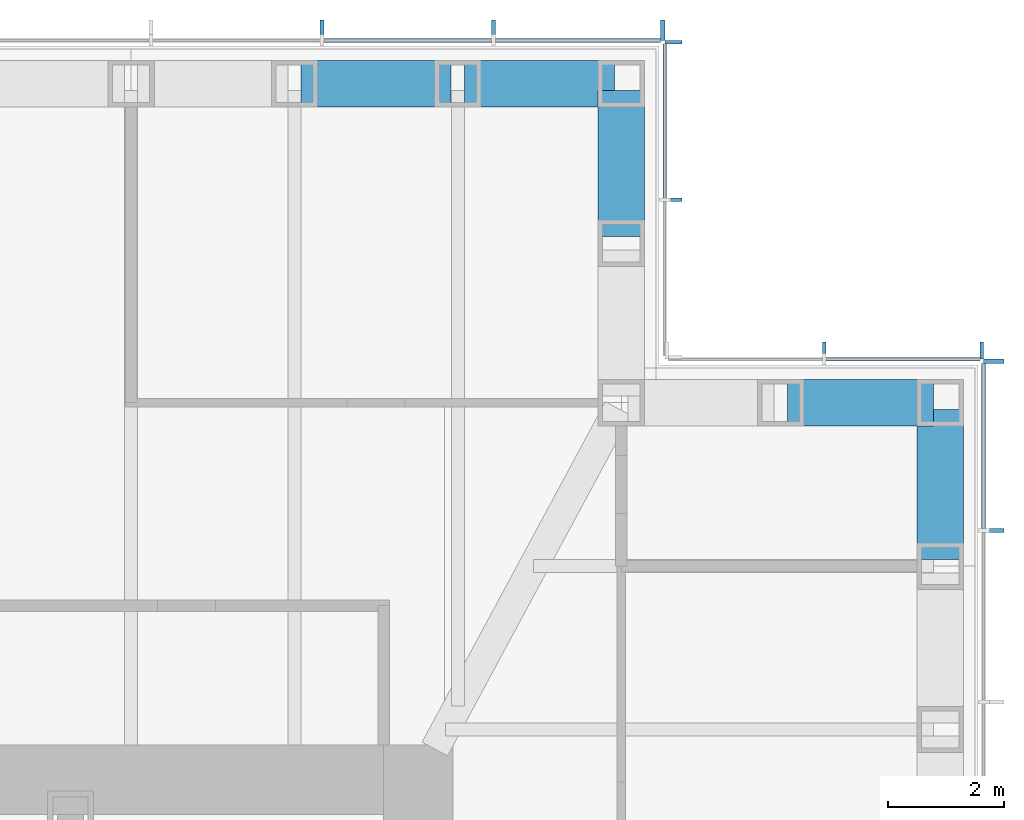
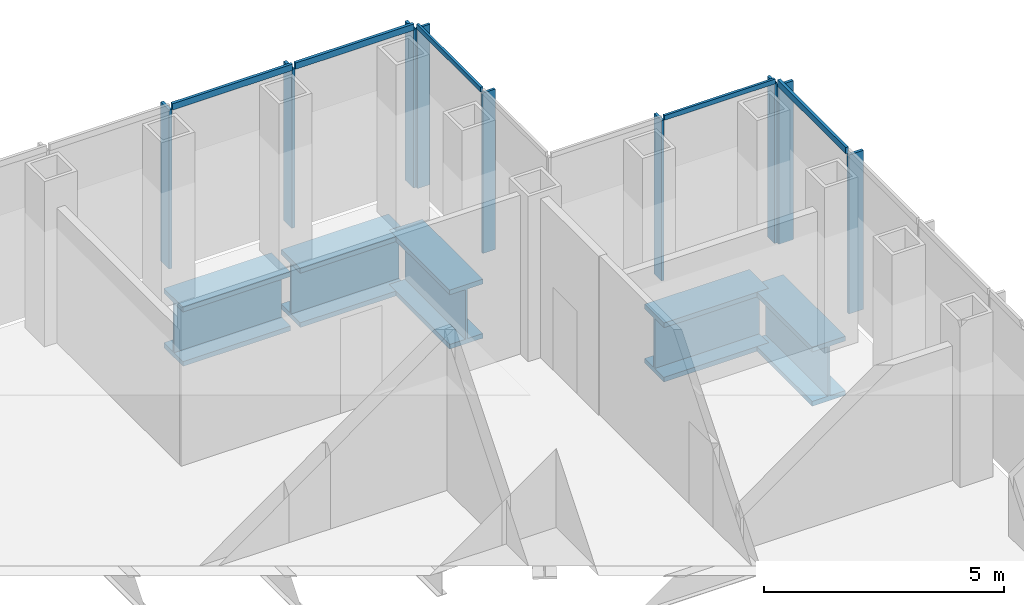
# One storey, part 6 of 16: 14 members, 5 beams, 4 elements without a shape of their own.
"""IFC4 building model written with IfcOpenShell, lengths in metres."""

from ifc_helpers import new_model, si_unit, direction, frame, origin, origin_2d, place, context, subcontext, project, spatial, rectangle, i_section, extrude, material, material_profile, profile_set, type_object, element, aggregate, save


model = new_model("IFC4")

# Units and contexts
model_context = context("Model", 3, precision=1e-05, world=origin(), true_north=direction((0.0, 1.0)))
body_context = subcontext(model_context, "Body", "Model", "MODEL_VIEW")
ifc_project = project(units=[si_unit("LENGTHUNIT", "METRE"), si_unit("AREAUNIT", "SQUARE_METRE"), si_unit("VOLUMEUNIT", "CUBIC_METRE"), si_unit("PLANEANGLEUNIT", "RADIAN"), si_unit("MASSUNIT", "GRAM", prefix="KILO")], contexts=[model_context])

# Site, building, storey
site_placement = place(None, origin())
site = spatial("IfcSite", under=ifc_project, at=site_placement, CompositionType="ELEMENT")
building_placement = place(site_placement, origin())
building = spatial("IfcBuilding", under=site, at=building_placement, Name="Daluyong Arena Tower", CompositionType="ELEMENT")
storey_placement = place(building_placement, frame((0.0, 0.0, 214.89990234375)))
storey = spatial("IfcBuildingStorey", under=building, at=storey_placement, Name="L48", CompositionType="ELEMENT", Elevation=214.89990234375)

# Curtain wall, members
ifc_material_1 = material(Name="Bronze anodised aluminium and glass", Category="aluminium")
curtain_wall_type_1 = type_object("IfcCurtainWallType", Name="Curtain wall CW3", PredefinedType="USERDEFINED", material=ifc_material_1)
curtain_wall_1_placement = place(storey_placement, origin())
curtain_wall_1 = element("IfcCurtainWall", 1, at=curtain_wall_1_placement, inside=storey, type_object=curtain_wall_type_1, Name="curtain wall L48 E", ObjectType="UNITISED CURTAIN WALL", PredefinedType="USERDEFINED")
ifc_material_2 = material(Name="Bronze anodised aluminium fin", Category="aluminium")
ifc_material_profile_1 = material_profile(ifc_material_2, rectangle(XDim=0.35009765625, YDim=0.070068359375, at=origin_2d()))
ifc_profile_set_1 = profile_set([ifc_material_profile_1], Name="Bronze anodised aluminium fin")
member_type_1 = type_object("IfcMemberType", Name="CW3 bronze fin 350x70", PredefinedType="MULLION", material=ifc_profile_set_1)
member_1_placement = place(storey_placement, frame((77.925048828125, 93.29541015625, 0.0), z_axis=(0.0, 0.0, 1.0), x_axis=(-1.0, 0.0, 0.0)))
member_1 = element("IfcMember", 2, at=member_1_placement, type_object=member_type_1, Name="curtain wall L48 E fin 11", PredefinedType="MULLION", context=body_context, shape_type="SweptSolid", body=[
    extrude(rectangle(XDim=0.35009765625, YDim=0.070068359375, at=origin_2d()), origin(), (0.0, 0.0, 1.0), 4.0400390625),
])
member_2_placement = place(storey_placement, frame((77.925048828125, 96.215087890625, 0.0), z_axis=(0.0, 0.0, 1.0), x_axis=(-1.0, 0.0, 0.0)))
member_2 = element("IfcMember", 3, at=member_2_placement, type_object=member_type_1, Name="curtain wall L48 E fin 12", PredefinedType="MULLION", context=body_context, shape_type="SweptSolid", body=[
    extrude(rectangle(XDim=0.35009765625, YDim=0.070068359375, at=origin_2d()), origin(), (0.0, 0.0, 1.0), 4.0400390625),
])

curtain_wall_2_placement = place(storey_placement, origin())
curtain_wall_2 = element("IfcCurtainWall", 4, at=curtain_wall_2_placement, inside=storey, type_object=curtain_wall_type_1, Name="curtain wall L48 N", ObjectType="UNITISED CURTAIN WALL", PredefinedType="USERDEFINED")
member_3_placement = place(storey_placement, frame((72.215087890625, 101.925048828125, 0.0), z_axis=(0.0, 0.0, 1.0), x_axis=(0.0, -1.0, 0.0)))
member_3 = element("IfcMember", 5, at=member_3_placement, type_object=member_type_1, Name="curtain wall L48 N fin 1", PredefinedType="MULLION", context=body_context, shape_type="SweptSolid", body=[
    extrude(rectangle(XDim=0.35009765625, YDim=0.070068359375, at=origin_2d()), origin(), (0.0, 0.0, 1.0), 4.0400390625),
])
member_4_placement = place(storey_placement, frame((69.29541015625, 101.925048828125, 0.0), z_axis=(0.0, 0.0, 1.0), x_axis=(0.0, -1.0, 0.0)))
member_4 = element("IfcMember", 6, at=member_4_placement, type_object=member_type_1, Name="curtain wall L48 N fin 2", PredefinedType="MULLION", context=body_context, shape_type="SweptSolid", body=[
    extrude(rectangle(XDim=0.35009765625, YDim=0.070068359375, at=origin_2d()), origin(), (0.0, 0.0, 1.0), 4.0400390625),
])
member_5_placement = place(storey_placement, frame((66.3408203125, 101.925048828125, 0.0), z_axis=(0.0, 0.0, 1.0), x_axis=(0.0, -1.0, 0.0)))
member_5 = element("IfcMember", 7, at=member_5_placement, type_object=member_type_1, Name="curtain wall L48 N fin 3", PredefinedType="MULLION", context=body_context, shape_type="SweptSolid", body=[
    extrude(rectangle(XDim=0.35009765625, YDim=0.070068359375, at=origin_2d()), origin(), (0.0, 0.0, 1.0), 4.0400390625),
])

# Member
ifc_material_3 = material(Name="Bronze anodised aluminium", Category="aluminium")
ifc_material_profile_2 = material_profile(ifc_material_3, rectangle(XDim=0.070068359375, YDim=0.159912109375, at=origin_2d()))
ifc_profile_set_2 = profile_set([ifc_material_profile_2], Name="Bronze anodised aluminium")
member_type_2 = type_object("IfcMemberType", Name="CW3 stack transom 160x70", PredefinedType="USERDEFINED", material=ifc_profile_set_2)
member_6_placement = place(storey_placement, frame((77.75, 93.33056640625, 4.1201171875), z_axis=(0.0, 1.0, 0.0), x_axis=(-1.0, 0.0, 0.0)))
member_6 = element("IfcMember", 8, at=member_6_placement, type_object=member_type_2, Name="curtain wall L48 E transom 11", ObjectType="TRANSOM", PredefinedType="USERDEFINED", context=body_context, shape_type="SweptSolid", body=[
    extrude(rectangle(XDim=0.070068359375, YDim=0.159912109375, at=origin_2d()), origin(), (0.0, 0.0, 1.0), 2.849365234375),
])

aggregate(curtain_wall_1, [member_1, member_2, member_6])

member_7_placement = place(storey_placement, frame((72.179931640625, 101.75, 4.1201171875), z_axis=(-1.0, 0.0, 0.0), x_axis=(0.0, -1.0, 0.0)))
member_7 = element("IfcMember", 9, at=member_7_placement, type_object=member_type_2, Name="curtain wall L48 N transom 1", ObjectType="TRANSOM", PredefinedType="USERDEFINED", context=body_context, shape_type="SweptSolid", body=[
    extrude(rectangle(XDim=0.070068359375, YDim=0.159912109375, at=origin_2d()), origin(), (0.0, 0.0, 1.0), 2.849365234375),
])

member_8_placement = place(storey_placement, frame((69.260498046875, 101.75, 4.1201171875), z_axis=(-1.0, 0.0, 0.0), x_axis=(0.0, -1.0, 0.0)))
member_8 = element("IfcMember", 10, at=member_8_placement, type_object=member_type_2, Name="curtain wall L48 N transom 2", ObjectType="TRANSOM", PredefinedType="USERDEFINED", context=body_context, shape_type="SweptSolid", body=[
    extrude(rectangle(XDim=0.070068359375, YDim=0.159912109375, at=origin_2d()), origin(), (0.0, 0.0, 1.0), 2.884521484375),
])

aggregate(curtain_wall_2, [member_3, member_4, member_5, member_7, member_8])

# Curtain wall, members
ifc_material_4 = material(Name="Bronze anodised aluminium and glass", Category="aluminium")
curtain_wall_type_2 = type_object("IfcCurtainWallType", Name="Curtain wall CW7", PredefinedType="USERDEFINED", material=ifc_material_4)
curtain_wall_3_placement = place(storey_placement, origin())
curtain_wall_3 = element("IfcCurtainWall", 11, at=curtain_wall_3_placement, inside=storey, type_object=curtain_wall_type_2, Name="curtain wall L48 NE-N", ObjectType="UNITISED CURTAIN WALL", PredefinedType="USERDEFINED")
ifc_material_5 = material(Name="Bronze anodised aluminium fin", Category="aluminium")
ifc_material_profile_3 = material_profile(ifc_material_5, rectangle(XDim=0.300048828125, YDim=0.06005859375, at=origin_2d()))
ifc_profile_set_3 = profile_set([ifc_material_profile_3], Name="Bronze anodised aluminium fin")
member_type_3 = type_object("IfcMemberType", Name="CW7 bronze fin 300x60", PredefinedType="MULLION", material=ifc_profile_set_3)
member_9_placement = place(storey_placement, frame((77.719970703125, 96.39990234375, 0.0), z_axis=(0.0, 0.0, 1.0), x_axis=(0.0, -1.0, 0.0)))
member_9 = element("IfcMember", 12, at=member_9_placement, type_object=member_type_3, Name="curtain wall L48 NE-N fin 1", PredefinedType="MULLION", context=body_context, shape_type="SweptSolid", body=[
    extrude(rectangle(XDim=0.300048828125, YDim=0.06005859375, at=origin_2d()), origin(), (0.0, 0.0, 1.0), 4.080078125),
])
member_10_placement = place(storey_placement, frame((75.0, 96.39990234375, 0.0), z_axis=(0.0, 0.0, 1.0), x_axis=(0.0, -1.0, 0.0)))
member_10 = element("IfcMember", 13, at=member_10_placement, type_object=member_type_3, Name="curtain wall L48 NE-N fin 2", PredefinedType="MULLION", context=body_context, shape_type="SweptSolid", body=[
    extrude(rectangle(XDim=0.300048828125, YDim=0.06005859375, at=origin_2d()), origin(), (0.0, 0.0, 1.0), 4.080078125),
])

curtain_wall_4_placement = place(storey_placement, origin())
curtain_wall_4 = element("IfcCurtainWall", 14, at=curtain_wall_4_placement, inside=storey, type_object=curtain_wall_type_2, Name="curtain wall L48 NE-E", ObjectType="UNITISED CURTAIN WALL", PredefinedType="USERDEFINED")
member_11_placement = place(storey_placement, frame((72.39990234375, 99.0, 0.0), z_axis=(0.0, 0.0, 1.0), x_axis=(-1.0, 0.0, 0.0)))
member_11 = element("IfcMember", 15, at=member_11_placement, type_object=member_type_3, Name="curtain wall L48 NE-E fin 2", PredefinedType="MULLION", context=body_context, shape_type="SweptSolid", body=[
    extrude(rectangle(XDim=0.300048828125, YDim=0.06005859375, at=origin_2d()), origin(), (0.0, 0.0, 1.0), 4.080078125),
])
member_12_placement = place(storey_placement, frame((72.39990234375, 101.719970703125, 0.0), z_axis=(0.0, 0.0, 1.0), x_axis=(-1.0, 0.0, 0.0)))
member_12 = element("IfcMember", 16, at=member_12_placement, type_object=member_type_3, Name="curtain wall L48 NE-E fin 3", PredefinedType="MULLION", context=body_context, shape_type="SweptSolid", body=[
    extrude(rectangle(XDim=0.300048828125, YDim=0.06005859375, at=origin_2d()), origin(), (0.0, 0.0, 1.0), 4.080078125),
])

# Member
ifc_material_6 = material(Name="Bronze anodised aluminium", Category="aluminium")
ifc_material_profile_4 = material_profile(ifc_material_6, rectangle(XDim=0.06005859375, YDim=0.1201171875, at=origin_2d()))
ifc_profile_set_4 = profile_set([ifc_material_profile_4], Name="Bronze anodised aluminium")
member_type_4 = type_object("IfcMemberType", Name="CW7 stack transom 120x60", PredefinedType="USERDEFINED", material=ifc_profile_set_4)
member_13_placement = place(storey_placement, frame((77.68994140625, 96.25, 4.14013671875), z_axis=(-1.0, 0.0, 0.0), x_axis=(0.0, -1.0, 0.0)))
member_13 = element("IfcMember", 17, at=member_13_placement, type_object=member_type_4, Name="curtain wall L48 NE-N transom 1", ObjectType="TRANSOM", PredefinedType="USERDEFINED", context=body_context, shape_type="SweptSolid", body=[
    extrude(rectangle(XDim=0.06005859375, YDim=0.1201171875, at=origin_2d()), origin(), (0.0, 0.0, 1.0), 2.659912109375),
])

aggregate(curtain_wall_3, [member_9, member_10, member_13])

member_14_placement = place(storey_placement, frame((72.25, 99.030029296875, 4.14013671875), z_axis=(0.0, 1.0, 0.0), x_axis=(-1.0, 0.0, 0.0)))
member_14 = element("IfcMember", 18, at=member_14_placement, type_object=member_type_4, Name="curtain wall L48 NE-E transom 2", ObjectType="TRANSOM", PredefinedType="USERDEFINED", context=body_context, shape_type="SweptSolid", body=[
    extrude(rectangle(XDim=0.06005859375, YDim=0.1201171875, at=origin_2d()), origin(), (0.0, 0.0, 1.0), 2.659912109375),
])

aggregate(curtain_wall_4, [member_11, member_12, member_14])

# Beams
ifc_material_7 = material(Name="Steel ASTM A588 Grade 50", Category="steel")
ifc_material_profile_5 = material_profile(ifc_material_7, i_section(OverallWidth=0.800048828125, OverallDepth=1.5, WebThickness=0.05, FlangeThickness=0.12, at=origin_2d()))
ifc_profile_set_5 = profile_set([ifc_material_profile_5], Name="Steel ASTM A588 Grade 50")
beam_type = type_object("IfcBeamType", Name="Spandrel Z3 PG1500X800", PredefinedType="SPANDREL", material=ifc_profile_set_5)
beam_1_placement = place(storey_placement, frame((77.0, 92.796875, -0.909912109375), z_axis=(0.0, 1.0, 0.0), x_axis=(-1.0, 0.0, 0.0)))
element("IfcBeam", 19, at=beam_1_placement, inside=storey, type_object=beam_type, Name="spandrel z3 SB7", PredefinedType="SPANDREL", context=body_context, shape_type="SweptSolid", body=[
    extrude(i_section(OverallWidth=0.800048828125, OverallDepth=1.5, WebThickness=0.05, FlangeThickness=0.12, at=origin_2d()), origin(), (0.0, 0.0, 1.0), 2.588134765625),
])
for number, where, z_axis, x_axis, name in (
    (20, (76.885009765625, 95.5, -0.909912109375), (-1.0, 0.0, 0.0), (0.0, -1.0, 0.0), "spandrel z3 SB7"),
    (21, (71.5, 98.364990234375, -0.909912109375), (0.0, 1.0, 0.0), (-1.0, 0.0, 0.0), "spandrel z3 SB7"),
):
    element("IfcBeam", number, at=place(storey_placement, frame(where, z_axis=z_axis, x_axis=x_axis)), inside=storey, type_object=beam_type, Name=name, PredefinedType="SPANDREL", context=body_context, shape_type="SweptSolid", body=[
        extrude(i_section(OverallWidth=0.800048828125, OverallDepth=1.5, WebThickness=0.05, FlangeThickness=0.12, at=origin_2d()), origin(), (0.0, 0.0, 1.0), 2.52001953125),
    ])
beam_2_placement = place(storey_placement, frame((71.385009765625, 101.0, -0.909912109375), z_axis=(-1.0, 0.0, 0.0), x_axis=(0.0, -1.0, 0.0)))
element("IfcBeam", 22, at=beam_2_placement, inside=storey, type_object=beam_type, Name="spandrel z3 SB7", PredefinedType="SPANDREL", context=body_context, shape_type="SweptSolid", body=[
    extrude(i_section(OverallWidth=0.800048828125, OverallDepth=1.5, WebThickness=0.05, FlangeThickness=0.12, at=origin_2d()), origin(), (0.0, 0.0, 1.0), 2.588134765625),
])
beam_3_placement = place(storey_placement, frame((68.56689453125, 101.0, -0.909912109375), z_axis=(-1.0, 0.0, 0.0), x_axis=(0.0, -1.0, 0.0)))
element("IfcBeam", 23, at=beam_3_placement, inside=storey, type_object=beam_type, Name="spandrel z3 SB7", PredefinedType="SPANDREL", context=body_context, shape_type="SweptSolid", body=[
    extrude(i_section(OverallWidth=0.800048828125, OverallDepth=1.5, WebThickness=0.05, FlangeThickness=0.12, at=origin_2d()), origin(), (0.0, 0.0, 1.0), 2.58837890625),
])

save(model, "model.ifc")
